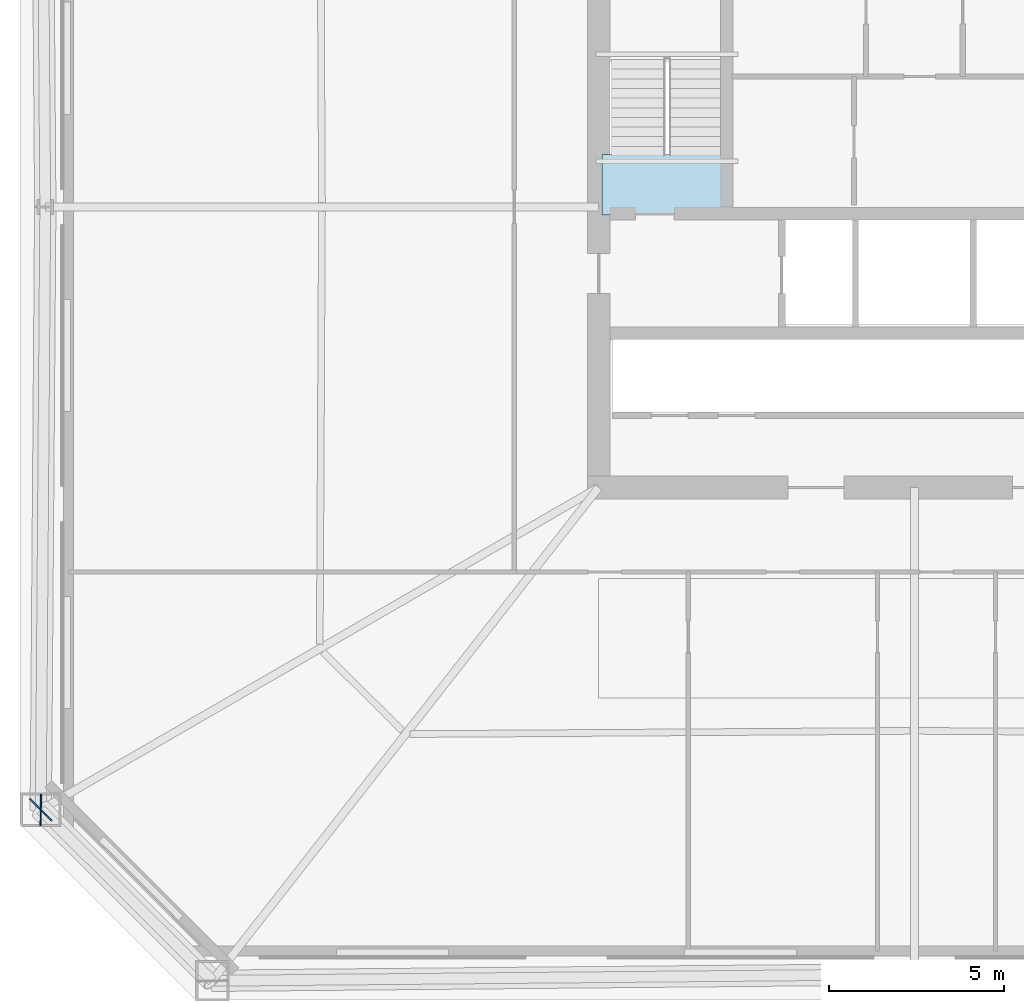
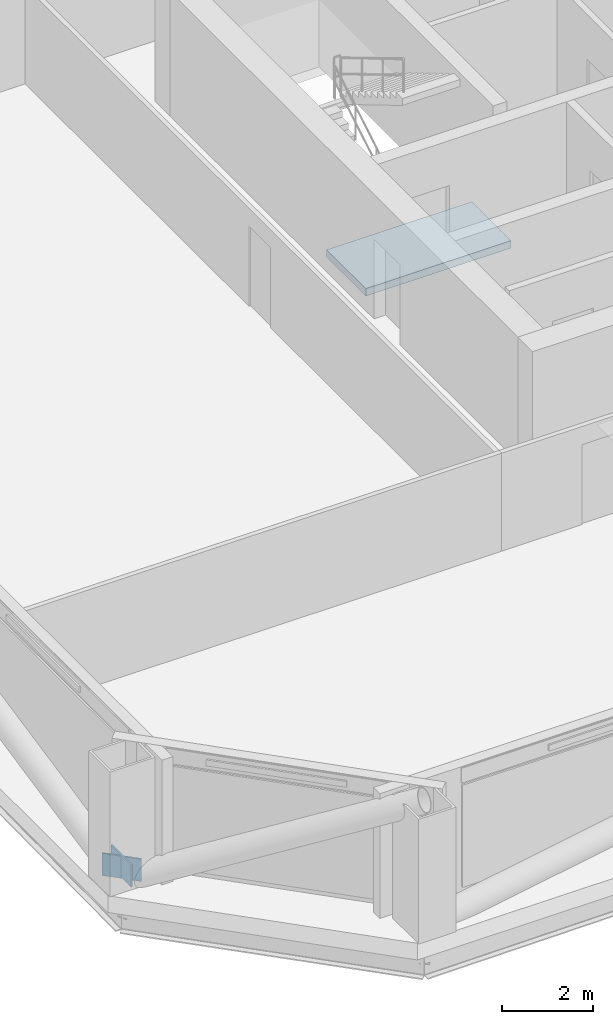
# One storey, part 2 of 8: 2 plates, 1 slab, 1 element without a shape of its own.
"""IFC4 building model written with IfcOpenShell, lengths in metres."""

from ifc_helpers import new_model, si_unit, direction, frame, origin, origin_2d, place, context, subcontext, project, spatial, polyline, rectangle, outline, extrude, material, layer, layer_set, type_object, element, aggregate, save


model = new_model("IFC4")

# Units and contexts
model_context = context("Model", 3, precision=1e-05, world=origin(), true_north=direction((0.0, 1.0)))
body_context = subcontext(model_context, "Body", "Model", "MODEL_VIEW")
ifc_project = project(units=[si_unit("LENGTHUNIT", "METRE"), si_unit("AREAUNIT", "SQUARE_METRE"), si_unit("VOLUMEUNIT", "CUBIC_METRE"), si_unit("PLANEANGLEUNIT", "RADIAN"), si_unit("MASSUNIT", "GRAM", prefix="KILO")], contexts=[model_context])

# Site, building, storey
site_placement = place(None, origin())
site = spatial("IfcSite", under=ifc_project, at=site_placement, CompositionType="ELEMENT")
building_placement = place(site_placement, origin())
building = spatial("IfcBuilding", under=site, at=building_placement, Name="Caelvoria Tower", CompositionType="ELEMENT")
storey_placement = place(building_placement, frame((0.0, 0.0, 49.60009765625)))
storey = spatial("IfcBuildingStorey", under=building, at=storey_placement, Name="L12", CompositionType="ELEMENT", Elevation=49.60009765625)

# Plates
ifc_material_1 = material(Name="Structural Steel ASTM A572 Gr.50", Category="steel")
ifc_layer_1 = layer(ifc_material_1, 0.0400390625, Name="Structural Steel ASTM A572 Gr.50")
ifc_layer_set_1 = layer_set([ifc_layer_1], Name="Megaframe Node Gusset Plate 900x600x40 - Structural Steel ASTM A572 Gr.50")
plate_type = type_object("IfcPlateType", Name="Megaframe Node Gusset Plate 900x600x40", PredefinedType="USERDEFINED", material=ifc_layer_set_1)
for number, where, z_axis, x_axis, name in (
    (1, (21.092529296875, 14.80908203125, 0.019775390625), (0.0, 0.0, 1.0), (0.708220325679, -0.705991480328, 0.0), "Chamfer Mega Brace Gusset L12 SW"),
    (2, (21.092529296875, 14.80908203125, 0.0498046875), (0.0, 0.0, 1.0), (0.007410600174, 0.999972541126, 0.0), "Megaframe Node Gusset Plate ND-01"),
):
    element("IfcPlate", number, at=place(storey_placement, frame(where, z_axis=z_axis, x_axis=x_axis)), inside=storey, type_object=plate_type, Name=name, ObjectType="GUSSET_PLATE", PredefinedType="USERDEFINED", context=body_context, shape_type="SweptSolid", body=[
        extrude(rectangle(XDim=0.89990234375, YDim=0.0400390625, at=origin_2d()), origin(), (0.0, 0.0, 1.0), 0.60009765625),
    ])

# Stair, slab
ifc_material_2 = material(Name="Concrete C40/50", Category="concrete")
stair_type = type_object("IfcStairType", Name="Core Smokeproof Dogleg Stair Concrete C40/50", PredefinedType="HALF_TURN_STAIR", material=ifc_material_2)
stair_placement = place(storey_placement, origin())
stair = element("IfcStair", 3, at=stair_placement, inside=storey, type_object=stair_type, Name="ST-01 Smokeproof Exit Stair L12", PredefinedType="HALF_TURN_STAIR")
ifc_layer_2 = layer(ifc_material_2, 0.199951171875, Name="Concrete C40/50")
ifc_layer_set_2 = layer_set([ifc_layer_2], Name="Stair Half and Floor Landing Slab 200 Concrete C40/50 - Concrete C40/50")
slab_type = type_object("IfcSlabType", Name="Stair Half and Floor Landing Slab 200 Concrete C40/50", PredefinedType="LANDING", material=ifc_layer_set_2)
slab_placement = place(storey_placement, frame((0.0, 0.0, -0.2001953125)))
slab = element("IfcSlab", 4, at=slab_placement, type_object=slab_type, Name="ST-01 landing 1", PredefinedType="LANDING", context=body_context, shape_type="SweptSolid", body=[
    extrude(outline(polyline([(37.10009765625, 31.77001953125), (40.800048828125, 31.77001953125), (40.800048828125, 33.5), (37.10009765625, 33.5), (37.10009765625, 31.77001953125)])), origin(), (0.0, 0.0, 1.0), 0.2001953125),
])
aggregate(stair, [slab])

save(model, "model.ifc")
